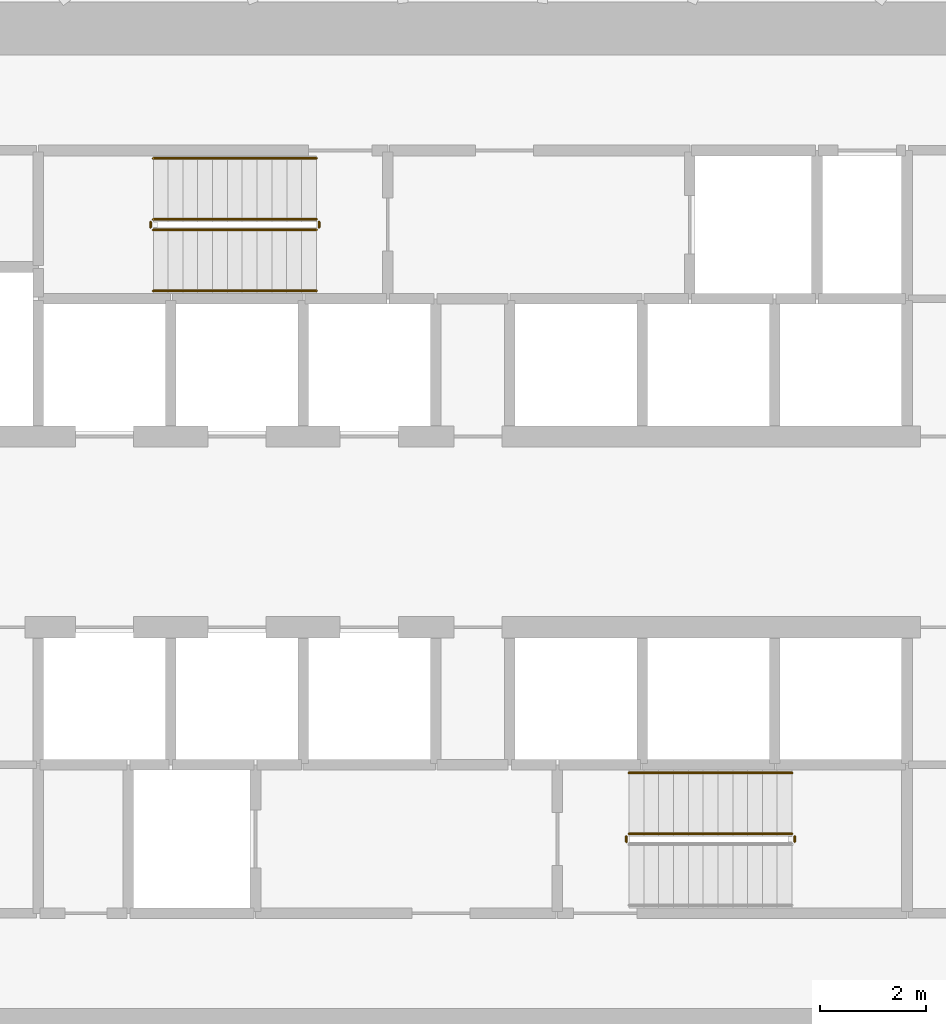
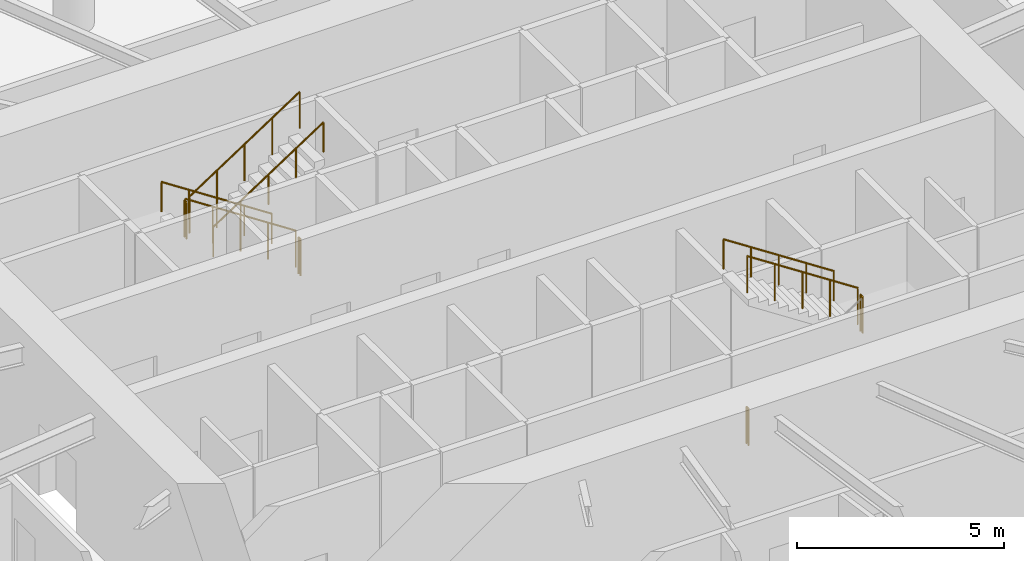
# One storey, part 18 of 19: 10 railings.
"""IFC4 building model written with IfcOpenShell, lengths in metres."""

import ifcopenshell
import ifcopenshell.guid

model = None  # the IFC model being written
_history = None  # IfcOwnerHistory: only IFC2X3 demands one
_inside = {}  # id of a spatial element -> (the spatial element, [elements in it])
_under = {}  # id of a project, library or spatial element -> (it, [spatial elements below it])
_declared = {}  # id of a project -> (the project, [libraries it declares])
_typed = {}  # id of a type object -> (the type object, [elements of that type])
_made_of = {}  # id of a material, layer set ... -> (it, [elements and type objects made of it])


def new_model(schema):
    """Start an empty IFC model of exactly this schema.

    Asked for "IFC4X3", IfcOpenShell would pick the latest addendum, in which some entities
    have other attributes; the version numbers below select the first issue.
    IFC2X3 requires an IfcOwnerHistory on every rooted entity: one is made here for all.
    """
    global model, _history
    if schema == "IFC4X3":
        model = ifcopenshell.file(schema_version=(4, 3, 0, 0))
    else:
        model = ifcopenshell.file(schema=schema)
    _inside.clear()
    _under.clear()
    _declared.clear()
    _typed.clear()
    _made_of.clear()
    _history = None
    if model.schema == "IFC2X3":
        org = make("IfcOrganization", Name="unknown")
        user = make(
            "IfcPersonAndOrganization",
            ThePerson=make("IfcPerson", FamilyName="unknown"),
            TheOrganization=org,
        )
        app = make(
            "IfcApplication",
            ApplicationDeveloper=org,
            Version="unknown",
            ApplicationFullName="unknown",
            ApplicationIdentifier="unknown",
        )
        _history = make(
            "IfcOwnerHistory",
            OwningUser=user,
            OwningApplication=app,
            ChangeAction="ADDED",
            CreationDate=0,
        )
    return model


def make(cls, **values):
    """One entity of the class cls with the attributes given. An attribute that is None is left unset."""
    return model.create_entity(
        cls, **{name: value for name, value in values.items() if value is not None}
    )


def rooted(cls, **values):
    """An entity with a GlobalId (a new one), such as an element, a storey or a relation."""
    return make(cls, GlobalId=ifcopenshell.guid.new(), OwnerHistory=_history, **values)


def si_unit(unit_type, name, prefix=None):
    """IfcSIUnit, for example si_unit("LENGTHUNIT", "METRE", prefix="MILLI")."""
    return make("IfcSIUnit", UnitType=unit_type, Prefix=prefix, Name=name)


def assignment(units):
    """IfcUnitAssignment: the units of a project."""
    return None if units is None else make("IfcUnitAssignment", Units=units)


def point(xyz):
    """IfcCartesianPoint."""
    return None if xyz is None else make("IfcCartesianPoint", Coordinates=xyz)


def direction(xyz):
    """IfcDirection."""
    return None if xyz is None else make("IfcDirection", DirectionRatios=xyz)


def frame(location, z_axis=None, x_axis=None):
    """IfcAxis2Placement3D, a coordinate frame: its origin and axes. An axis left out is left unset."""
    return make(
        "IfcAxis2Placement3D",
        Location=point(location),
        Axis=direction(z_axis),
        RefDirection=direction(x_axis),
    )


def frame_2d(location, x_axis=None):
    """IfcAxis2Placement2D, a coordinate frame in the plane: its origin and x axis."""
    return make(
        "IfcAxis2Placement2D", Location=point(location), RefDirection=direction(x_axis)
    )


def origin():
    """The frame at (0, 0, 0) with its axes left unset."""
    return frame((0.0, 0.0, 0.0))


def origin_2d():
    """The frame at (0, 0) in the plane with its x axis left unset."""
    return frame_2d((0.0, 0.0))


def place(relative_to, where):
    """IfcLocalPlacement: puts the frame where relative to a parent placement (None: the world)."""
    return make(
        "IfcLocalPlacement", PlacementRelTo=relative_to, RelativePlacement=where
    )


def context(
    kind, dimensions, precision=None, world=None, true_north=None, identifier=None
):
    """IfcGeometricRepresentationContext, for example the 3D "Model" context."""
    return make(
        "IfcGeometricRepresentationContext",
        ContextIdentifier=identifier,
        ContextType=kind,
        CoordinateSpaceDimension=dimensions,
        Precision=precision,
        WorldCoordinateSystem=world,
        TrueNorth=true_north,
    )


def subcontext(parent, identifier, kind, view, scale=None):
    """IfcGeometricRepresentationSubContext, for example "Body" below "Model"."""
    return make(
        "IfcGeometricRepresentationSubContext",
        ContextIdentifier=identifier,
        ContextType=kind,
        ParentContext=parent,
        TargetScale=scale,
        TargetView=view,
    )


def project(units=None, contexts=None):
    """IfcProject with its units and contexts."""
    return rooted(
        "IfcProject",
        Name="project",
        RepresentationContexts=contexts,
        UnitsInContext=assignment(units),
    )


def spatial(cls, under=None, at=None, **own):
    """A site, building, storey or space (cls), placed at a placement, below another one or the project."""
    s = rooted(cls, ObjectPlacement=at, **own)
    if under is not None:
        _under.setdefault(under.id(), (under, []))[1].append(s)
    return s


def profile(cls, at=None, kind="AREA", **sizes):
    """A parametric profile (cls). Its sizes go by their IFC names, for example OverallWidth=200.0."""
    return make(cls, ProfileType=kind, Position=at, **sizes)


def circle(**sizes):
    """IfcCircleProfileDef."""
    return profile("IfcCircleProfileDef", **sizes)


def extrude(swept, where, along, depth):
    """IfcExtrudedAreaSolid: the profile swept, set in the frame where, extruded along a direction by depth."""
    return make(
        "IfcExtrudedAreaSolid",
        SweptArea=swept,
        Position=where,
        ExtrudedDirection=direction(along),
        Depth=depth,
    )


def shape(context_of_items, identifier, shape_type, items):
    """IfcShapeRepresentation: the items that make up one representation, for example the "Body"."""
    return make(
        "IfcShapeRepresentation",
        ContextOfItems=context_of_items,
        RepresentationIdentifier=identifier,
        RepresentationType=shape_type,
        Items=items,
    )


def material(Name=None, Category=None):
    """IfcMaterial."""
    return make("IfcMaterial", Name=Name, Category=Category)


def made_of(thing, what):
    """Note that an element or type object is made of a material, layer set ...; save() writes the relation."""
    if what is not None:
        _made_of.setdefault(what.id(), (what, []))[1].append(thing)
    return thing


def type_object(cls, material=None, **own):
    """A type object (cls), such as IfcWallType, which elements share."""
    return made_of(rooted(cls, **own), material)


def element(
    cls,
    number,
    at=None,
    inside=None,
    cuts=None,
    type_object=None,
    material=None,
    context=None,
    identifier="Body",
    shape_type=None,
    held_by="IfcProductDefinitionShape",
    body=None,
    shapes=None,
    **own,
):
    """One element of the class cls, such as IfcWall. Its Tag is "e" and its number.

    at: its placement. inside: the storey or other place that contains it. cuts: it is an
    opening in that element (IfcRelVoidsElement). A single representation is given by context,
    identifier, shape_type and body (its items); several are given by shapes. held_by: the class
    of the entity that holds the representations. save() writes the other relations.
    """
    e = rooted(cls, Tag="e%d" % number, ObjectPlacement=at, **own)
    if body is not None:
        shapes = [shape(context, identifier, shape_type, body)]
    if shapes is not None:
        e.Representation = make(held_by, Representations=shapes)
    if inside is not None:
        _inside.setdefault(inside.id(), (inside, []))[1].append(e)
    if cuts is not None:
        rooted(
            "IfcRelVoidsElement", RelatingBuildingElement=cuts, RelatedOpeningElement=e
        )
    if type_object is not None:
        _typed.setdefault(type_object.id(), (type_object, []))[1].append(e)
    return made_of(e, material)


def aggregate(whole, parts):
    """IfcRelAggregates: a whole, such as a stair, and the parts it consists of."""
    return rooted("IfcRelAggregates", RelatingObject=whole, RelatedObjects=parts)


def save(model, path):
    """Write the relations noted so far, then the file.

    IfcRelAggregates (storeys below a building ...), IfcRelContainedInSpatialStructure (elements
    in a storey), IfcRelDefinesByType, IfcRelAssociatesMaterial and IfcRelDeclares: one each for
    every whole, place, type object, material and project.
    """
    for whole, parts in _under.values():
        aggregate(whole, parts)
    for where, things in _inside.values():
        rooted(
            "IfcRelContainedInSpatialStructure",
            RelatedElements=things,
            RelatingStructure=where,
        )
    for kind, things in _typed.values():
        rooted("IfcRelDefinesByType", RelatedObjects=things, RelatingType=kind)
    for what, things in _made_of.values():
        rooted("IfcRelAssociatesMaterial", RelatedObjects=things, RelatingMaterial=what)
    for by, libraries in _declared.values():
        rooted("IfcRelDeclares", RelatingContext=by, RelatedDefinitions=libraries)
    model.write(path)


model = new_model("IFC4")

# Units and contexts
model_context = context("Model", 3, precision=1e-05, world=origin(), true_north=direction((0.0, 1.0)))
body_context = subcontext(model_context, "Body", "Model", "MODEL_VIEW")
ifc_project = project(units=[si_unit("LENGTHUNIT", "METRE"), si_unit("AREAUNIT", "SQUARE_METRE"), si_unit("VOLUMEUNIT", "CUBIC_METRE"), si_unit("PLANEANGLEUNIT", "RADIAN"), si_unit("MASSUNIT", "GRAM", prefix="KILO")], contexts=[model_context])

# Site, building, storey
site_placement = place(None, origin())
site = spatial("IfcSite", under=ifc_project, at=site_placement, CompositionType="ELEMENT")
building_placement = place(site_placement, origin())
building = spatial("IfcBuilding", under=site, at=building_placement, Name="Spindrift Exchange Tower", CompositionType="ELEMENT")
storey_placement = place(building_placement, frame((0.0, 0.0, 57.800048828125)))
storey = spatial("IfcBuildingStorey", under=building, at=storey_placement, Name="L13", CompositionType="ELEMENT", Elevation=57.800048828125)

# Railings
ifc_material_1 = material(Name="Steel balustrade", Category="steel")
railing_type_1 = type_object("IfcRailingType", Name="RL-STAIR-GUARD", PredefinedType="GUARDRAIL", material=ifc_material_1)
railing_1_placement = place(storey_placement, frame((49.050048828125, 53.89990234375, 0.183349609375)))
element("IfcRailing", 1, at=railing_1_placement, inside=storey, type_object=railing_type_1, Name="L13 ST1 stair guard 1", PredefinedType="GUARDRAIL", context=body_context, shape_type="SweptSolid", body=[
    extrude(circle(Radius=0.02392578125, at=origin_2d()), frame((0.0, 0.0, 1.076171875), z_axis=(-0.836633000464, 0.0, 0.547763838287), x_axis=(0.0, -1.0, 0.0)), (0.0, 0.0, 1.0), 3.681396484375),
    extrude(circle(Radius=0.02099609375, at=origin_2d()), origin(), (0.0, 0.0, 1.0), 1.052001953125),
    extrude(circle(Radius=0.02099609375, at=origin_2d()), frame((-0.77001953125, 0.0, 0.504150390625)), (0.0, 0.0, 1.0), 1.052001953125),
    extrude(circle(Radius=0.02099609375, at=origin_2d()), frame((-1.5400390625, 0.0, 1.00830078125)), (0.0, 0.0, 1.0), 1.052001953125),
    extrude(circle(Radius=0.02099609375, at=origin_2d()), frame((-2.31005859375, 0.0, 1.512451171875)), (0.0, 0.0, 1.0), 1.052001953125),
    extrude(circle(Radius=0.02099609375, at=origin_2d()), frame((-3.080078125, 0.0, 2.0166015625)), (0.0, 0.0, 1.0), 1.052001953125),
])
railing_2_placement = place(storey_placement, frame((45.919921875, 53.85009765625, 2.199951171875)))
element("IfcRailing", 2, at=railing_2_placement, inside=storey, type_object=railing_type_1, Name="L13 ST1 stair guard 2", PredefinedType="GUARDRAIL", context=body_context, shape_type="SweptSolid", body=[
    extrude(circle(Radius=0.02392578125, at=origin_2d()), frame((0.0, 0.0, 1.076171875), z_axis=(0.0, -1.0, 0.0), x_axis=(1.0, 0.0, 0.0)), (0.0, 0.0, 1.0), 0.10009765625),
    extrude(circle(Radius=0.02099609375, at=origin_2d()), origin(), (0.0, 0.0, 1.0), 1.052001953125),
    extrude(circle(Radius=0.02099609375, at=origin_2d()), frame((0.0, -0.10009765625, 0.0)), (0.0, 0.0, 1.0), 1.052001953125),
])
railing_3_placement = place(storey_placement, frame((45.969970703125, 53.699951171875, 2.38330078125)))
element("IfcRailing", 3, at=railing_3_placement, inside=storey, type_object=railing_type_1, Name="L13 ST1 stair guard 3", PredefinedType="GUARDRAIL", context=body_context, shape_type="SweptSolid", body=[
    extrude(circle(Radius=0.02392578125, at=origin_2d()), frame((0.0, 0.0, 1.076171875), z_axis=(0.836633000464, 0.0, 0.547763838287), x_axis=(0.0, 1.0, 0.0)), (0.0, 0.0, 1.0), 3.681396484375),
    extrude(circle(Radius=0.02099609375, at=origin_2d()), origin(), (0.0, 0.0, 1.0), 1.052001953125),
    extrude(circle(Radius=0.02099609375, at=origin_2d()), frame((0.77001953125, 0.0, 0.504150390625)), (0.0, 0.0, 1.0), 1.052001953125),
    extrude(circle(Radius=0.02099609375, at=origin_2d()), frame((1.5400390625, 0.0, 1.00830078125)), (0.0, 0.0, 1.0), 1.052001953125),
    extrude(circle(Radius=0.02099609375, at=origin_2d()), frame((2.31005859375, 0.0, 1.512451171875)), (0.0, 0.0, 1.0), 1.052001953125),
    extrude(circle(Radius=0.02099609375, at=origin_2d()), frame((3.080078125, 0.0, 2.0166015625)), (0.0, 0.0, 1.0), 1.052001953125),
])
railing_4_placement = place(storey_placement, frame((49.10009765625, 53.85009765625, 0.0)))
element("IfcRailing", 4, at=railing_4_placement, inside=storey, type_object=railing_type_1, Name="L13 ST1 stair guard 4", PredefinedType="GUARDRAIL", context=body_context, shape_type="SweptSolid", body=[
    extrude(circle(Radius=0.02392578125, at=origin_2d()), frame((0.0, 0.0, 1.076171875), z_axis=(0.0, -1.0, 0.0), x_axis=(1.0, 0.0, 0.0)), (0.0, 0.0, 1.0), 0.10009765625),
    extrude(circle(Radius=0.02099609375, at=origin_2d()), origin(), (0.0, 0.0, 1.0), 1.052001953125),
    extrude(circle(Radius=0.02099609375, at=origin_2d()), frame((0.0, -0.10009765625, 0.0)), (0.0, 0.0, 1.0), 1.052001953125),
])
railing_5_placement = place(storey_placement, frame((58.080078125, 42.14990234375, 2.199951171875)))
element("IfcRailing", 5, at=railing_5_placement, inside=storey, type_object=railing_type_1, Name="L13 ST2 stair guard 2", PredefinedType="GUARDRAIL", context=body_context, shape_type="SweptSolid", body=[
    extrude(circle(Radius=0.02392578125, at=origin_2d()), frame((0.0, 0.0, 1.076171875), z_axis=(0.0, 1.0, 0.0), x_axis=(-1.0, 0.0, 0.0)), (0.0, 0.0, 1.0), 0.10009765625),
    extrude(circle(Radius=0.02099609375, at=origin_2d()), origin(), (0.0, 0.0, 1.0), 1.052001953125),
    extrude(circle(Radius=0.02099609375, at=origin_2d()), frame((0.0, 0.10009765625, 0.0)), (0.0, 0.0, 1.0), 1.052001953125),
])
railing_6_placement = place(storey_placement, frame((58.030029296875, 42.300048828125, 2.38330078125)))
element("IfcRailing", 6, at=railing_6_placement, inside=storey, type_object=railing_type_1, Name="L13 ST2 stair guard 3", PredefinedType="GUARDRAIL", context=body_context, shape_type="SweptSolid", body=[
    extrude(circle(Radius=0.02392578125, at=origin_2d()), frame((0.0, 0.0, 1.076171875), z_axis=(-0.836633000464, 0.0, 0.547763838287), x_axis=(0.0, -1.0, 0.0)), (0.0, 0.0, 1.0), 3.681396484375),
    extrude(circle(Radius=0.02099609375, at=origin_2d()), origin(), (0.0, 0.0, 1.0), 1.052001953125),
    extrude(circle(Radius=0.02099609375, at=origin_2d()), frame((-0.77001953125, 0.0, 0.504150390625)), (0.0, 0.0, 1.0), 1.052001953125),
    extrude(circle(Radius=0.02099609375, at=origin_2d()), frame((-1.5400390625, 0.0, 1.00830078125)), (0.0, 0.0, 1.0), 1.052001953125),
    extrude(circle(Radius=0.02099609375, at=origin_2d()), frame((-2.31005859375, 0.0, 1.512451171875)), (0.0, 0.0, 1.0), 1.052001953125),
    extrude(circle(Radius=0.02099609375, at=origin_2d()), frame((-3.080078125, 0.0, 2.0166015625)), (0.0, 0.0, 1.0), 1.052001953125),
])
railing_7_placement = place(storey_placement, frame((54.89990234375, 42.14990234375, 0.0)))
element("IfcRailing", 7, at=railing_7_placement, inside=storey, type_object=railing_type_1, Name="L13 ST2 stair guard 4", PredefinedType="GUARDRAIL", context=body_context, shape_type="SweptSolid", body=[
    extrude(circle(Radius=0.02392578125, at=origin_2d()), frame((0.0, 0.0, 1.076171875), z_axis=(0.0, 1.0, 0.0), x_axis=(-1.0, 0.0, 0.0)), (0.0, 0.0, 1.0), 0.10009765625),
    extrude(circle(Radius=0.02099609375, at=origin_2d()), origin(), (0.0, 0.0, 1.0), 1.052001953125),
    extrude(circle(Radius=0.02099609375, at=origin_2d()), frame((0.0, 0.10009765625, 0.0)), (0.0, 0.0, 1.0), 1.052001953125),
])
ifc_material_2 = material(Name="Steel tubular handrail", Category="steel")
railing_type_2 = type_object("IfcRailingType", Name="RL-STAIR-HAND", PredefinedType="HANDRAIL", material=ifc_material_2)
railing_8_placement = place(storey_placement, frame((49.050048828125, 55.050048828125, 0.183349609375)))
element("IfcRailing", 8, at=railing_8_placement, inside=storey, type_object=railing_type_2, Name="L13 ST1 stair handrail 1", PredefinedType="HANDRAIL", context=body_context, shape_type="SweptSolid", body=[
    extrude(circle(Radius=0.02392578125, at=origin_2d()), frame((0.0, 0.0, 0.8759765625), z_axis=(-0.836633000464, 0.0, 0.547763838287), x_axis=(0.0, -1.0, 0.0)), (0.0, 0.0, 1.0), 3.681396484375),
    extrude(circle(Radius=0.02099609375, at=origin_2d()), origin(), (0.0, 0.0, 1.0), 0.851806640625),
    extrude(circle(Radius=0.02099609375, at=origin_2d()), frame((-0.77001953125, 0.0, 0.504150390625)), (0.0, 0.0, 1.0), 0.851806640625),
    extrude(circle(Radius=0.02099609375, at=origin_2d()), frame((-1.5400390625, 0.0, 1.00830078125)), (0.0, 0.0, 1.0), 0.851806640625),
    extrude(circle(Radius=0.02099609375, at=origin_2d()), frame((-2.31005859375, 0.0, 1.512451171875)), (0.0, 0.0, 1.0), 0.851806640625),
    extrude(circle(Radius=0.02099609375, at=origin_2d()), frame((-3.080078125, 0.0, 2.0166015625)), (0.0, 0.0, 1.0), 0.851806640625),
])
railing_9_placement = place(storey_placement, frame((45.969970703125, 52.550048828125, 2.38330078125)))
element("IfcRailing", 9, at=railing_9_placement, inside=storey, type_object=railing_type_2, Name="L13 ST1 stair handrail 2", PredefinedType="HANDRAIL", context=body_context, shape_type="SweptSolid", body=[
    extrude(circle(Radius=0.02392578125, at=origin_2d()), frame((0.0, 0.0, 0.8759765625), z_axis=(0.836633000464, 0.0, 0.547763838287), x_axis=(0.0, 1.0, 0.0)), (0.0, 0.0, 1.0), 3.681396484375),
    extrude(circle(Radius=0.02099609375, at=origin_2d()), origin(), (0.0, 0.0, 1.0), 0.851806640625),
    extrude(circle(Radius=0.02099609375, at=origin_2d()), frame((0.77001953125, 0.0, 0.504150390625)), (0.0, 0.0, 1.0), 0.851806640625),
    extrude(circle(Radius=0.02099609375, at=origin_2d()), frame((1.5400390625, 0.0, 1.00830078125)), (0.0, 0.0, 1.0), 0.851806640625),
    extrude(circle(Radius=0.02099609375, at=origin_2d()), frame((2.31005859375, 0.0, 1.512451171875)), (0.0, 0.0, 1.0), 0.851806640625),
    extrude(circle(Radius=0.02099609375, at=origin_2d()), frame((3.080078125, 0.0, 2.0166015625)), (0.0, 0.0, 1.0), 0.851806640625),
])
railing_10_placement = place(storey_placement, frame((58.030029296875, 43.449951171875, 2.38330078125)))
element("IfcRailing", 10, at=railing_10_placement, inside=storey, type_object=railing_type_2, Name="L13 ST2 stair handrail 2", PredefinedType="HANDRAIL", context=body_context, shape_type="SweptSolid", body=[
    extrude(circle(Radius=0.02392578125, at=origin_2d()), frame((0.0, 0.0, 0.8759765625), z_axis=(-0.836633000464, 0.0, 0.547763838287), x_axis=(0.0, -1.0, 0.0)), (0.0, 0.0, 1.0), 3.681396484375),
    extrude(circle(Radius=0.02099609375, at=origin_2d()), origin(), (0.0, 0.0, 1.0), 0.851806640625),
    extrude(circle(Radius=0.02099609375, at=origin_2d()), frame((-0.77001953125, 0.0, 0.504150390625)), (0.0, 0.0, 1.0), 0.851806640625),
    extrude(circle(Radius=0.02099609375, at=origin_2d()), frame((-1.5400390625, 0.0, 1.00830078125)), (0.0, 0.0, 1.0), 0.851806640625),
    extrude(circle(Radius=0.02099609375, at=origin_2d()), frame((-2.31005859375, 0.0, 1.512451171875)), (0.0, 0.0, 1.0), 0.851806640625),
    extrude(circle(Radius=0.02099609375, at=origin_2d()), frame((-3.080078125, 0.0, 2.0166015625)), (0.0, 0.0, 1.0), 0.851806640625),
])

save(model, "model.ifc")
